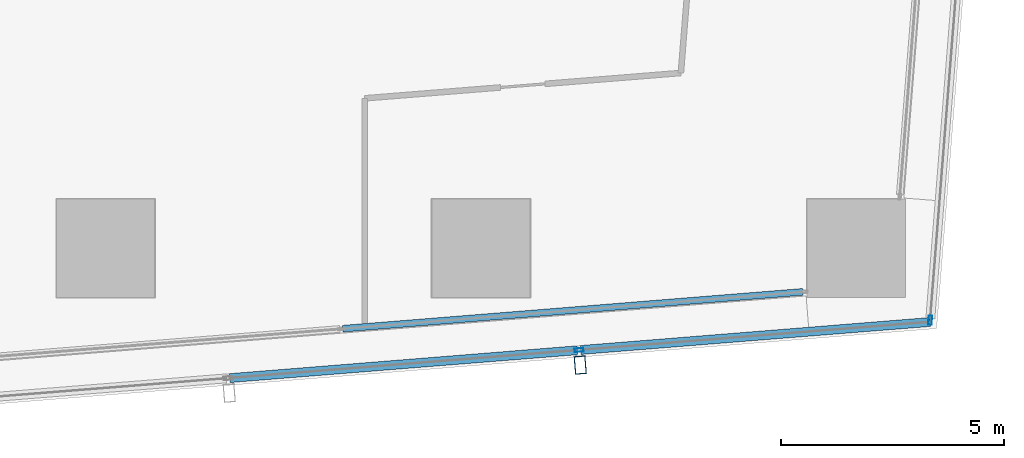
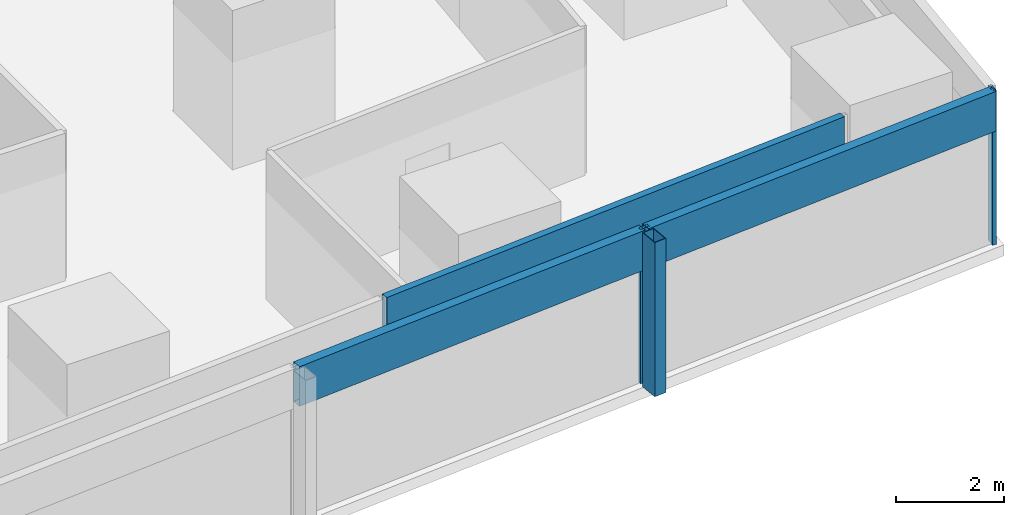
# One storey, part 11 of 44: 6 members, 3 elements without a shape of their own.
"""IFC4 building model written with IfcOpenShell, lengths in metres."""

from ifc_helpers import new_model, si_unit, direction, frame, origin, origin_2d, place, context, subcontext, project, spatial, hollow_rectangle, extrude, material, material_profile, profile_set, type_object, element, aggregate, save


model = new_model("IFC4")

# Units and contexts
model_context = context("Model", 3, precision=1e-05, world=origin(), true_north=direction((0.0, 1.0)))
body_context = subcontext(model_context, "Body", "Model", "MODEL_VIEW")
ifc_project = project(units=[si_unit("LENGTHUNIT", "METRE"), si_unit("AREAUNIT", "SQUARE_METRE"), si_unit("VOLUMEUNIT", "CUBIC_METRE"), si_unit("PLANEANGLEUNIT", "RADIAN"), si_unit("MASSUNIT", "GRAM", prefix="KILO")], contexts=[model_context])

# Site, building, storey
site_placement = place(None, origin())
site = spatial("IfcSite", under=ifc_project, at=site_placement, CompositionType="ELEMENT")
building_placement = place(site_placement, origin())
building = spatial("IfcBuilding", under=site, at=building_placement, Name="Rekha Terrace Tower", CompositionType="ELEMENT")
storey_placement = place(building_placement, frame((0.0, 0.0, 62.89990234375)))
storey = spatial("IfcBuildingStorey", under=building, at=storey_placement, Name="L15", CompositionType="ELEMENT", Elevation=62.89990234375)

# Curtain wall, member
ifc_material_1 = material(Name="Aluminium framing", Category="aluminium")
curtain_wall_type_1 = type_object("IfcCurtainWallType", Name="CW2 double skin outer glazing", PredefinedType="USERDEFINED", material=ifc_material_1)
curtain_wall_1_placement = place(storey_placement, origin())
curtain_wall_1 = element("IfcCurtainWall", 1, at=curtain_wall_1_placement, inside=storey, type_object=curtain_wall_type_1, Name="CW2 double skin outer glazing", ObjectType="DOUBLE SKIN OUTER GLAZING", PredefinedType="USERDEFINED")
ifc_material_2 = material(Name="Steel S355 with fluorocarbon finish", Category="steel")
ifc_material_profile_1 = material_profile(ifc_material_2, hollow_rectangle(XDim=0.25, YDim=0.39990234375, WallThickness=0.012451171875, at=origin_2d()), Name="RHS400x250x12.5")
ifc_profile_set_1 = profile_set([ifc_material_profile_1], Name="Steel S355 with fluorocarbon finish")
member_type_1 = type_object("IfcMemberType", Name="BL1 facade blade RHS 400 x 250", PredefinedType="USERDEFINED", material=ifc_profile_set_1)
member_1_placement = place(storey_placement, frame((61.022705078125, 5.78515625, 0.0), z_axis=(0.0, 0.0, 1.0), x_axis=(0.996805139821, 0.079871855039, 0.0)))
member_1 = element("IfcMember", 2, at=member_1_placement, type_object=member_type_1, Name="Facade blade", ObjectType="FACADE BLADE", PredefinedType="USERDEFINED", context=body_context, shape_type="SweptSolid", body=[
    extrude(hollow_rectangle(XDim=0.25, YDim=0.39990234375, WallThickness=0.012451171875, at=origin_2d()), origin(), (0.0, 0.0, 1.0), 3.5),
])

curtain_wall_type_2 = type_object("IfcCurtainWallType", Name="CW1 double skin inner glazing", PredefinedType="USERDEFINED", material=ifc_material_1)
curtain_wall_2_placement = place(storey_placement, origin())
curtain_wall_2 = element("IfcCurtainWall", 3, at=curtain_wall_2_placement, inside=storey, type_object=curtain_wall_type_2, Name="CW1 double skin inner glazing", ObjectType="DOUBLE SKIN INNER GLAZING", PredefinedType="USERDEFINED")
ifc_material_3 = material(Name="Insulated aluminium spandrel box", Category="aluminium")
ifc_material_profile_2 = material_profile(ifc_material_3, hollow_rectangle(XDim=0.14990234375, YDim=0.89990234375, WallThickness=0.0029296875, at=origin_2d()), Name="AL SPANDREL BOX 150x900")
ifc_profile_set_2 = profile_set([ifc_material_profile_2], Name="Insulated aluminium spandrel box")
member_type_2 = type_object("IfcMemberType", Name="CW1 spandrel transom 150 x 900", PredefinedType="USERDEFINED", material=ifc_profile_set_2)
member_2_placement = place(storey_placement, frame((55.704345703125, 6.59814453125, 3.050048828125), z_axis=(0.996806184606, 0.079858814989, 0.0), x_axis=(-0.079858814989, 0.996806184606, 0.0)))
member_2 = element("IfcMember", 4, at=member_2_placement, type_object=member_type_2, Name="CW1 spandrel transom 2", ObjectType="TRANSOM", PredefinedType="USERDEFINED", context=body_context, shape_type="SweptSolid", body=[
    extrude(hollow_rectangle(XDim=0.14990234375, YDim=0.89990234375, WallThickness=0.0029296875, at=origin_2d()), origin(), (0.0, 0.0, 1.0), 10.336181640625),
])
aggregate(curtain_wall_2, [member_2])

# Member
ifc_material_4 = material(Name="Aluminium mullion section", Category="aluminium")
ifc_material_profile_3 = material_profile(ifc_material_4, hollow_rectangle(XDim=0.080078125, YDim=0.199951171875, WallThickness=0.00390625, at=origin_2d()), Name="AL RHS 80x200")
ifc_profile_set_3 = profile_set([ifc_material_profile_3], Name="Aluminium mullion section")
member_type_3 = type_object("IfcMemberType", Name="CW2 mullion RHS 80 x 200", PredefinedType="MULLION", material=ifc_profile_set_3)
member_3_placement = place(storey_placement, frame((60.99609375, 6.119140625, 0.0), z_axis=(0.0, 0.0, 1.0), x_axis=(-0.079872204468, 0.996805111821, 0.0)))
member_3 = element("IfcMember", 5, at=member_3_placement, type_object=member_type_3, Name="CW2 mullion 3", PredefinedType="MULLION", context=body_context, shape_type="SweptSolid", body=[
    extrude(hollow_rectangle(XDim=0.080078125, YDim=0.199951171875, WallThickness=0.00390625, at=origin_2d()), origin(), (0.0, 0.0, 1.0), 3.5),
])

# Curtain wall, member
curtain_wall_3_placement = place(storey_placement, origin())
curtain_wall_3 = element("IfcCurtainWall", 6, at=curtain_wall_3_placement, inside=storey, type_object=curtain_wall_type_1, Name="CW2 double skin outer glazing", ObjectType="DOUBLE SKIN OUTER GLAZING", PredefinedType="USERDEFINED")
member_4_placement = place(storey_placement, frame((68.8544921875, 6.78857421875, 0.0), z_axis=(0.0, 0.0, 1.0), x_axis=(-0.996865392575, 0.079116301017, 0.0)))
member_4 = element("IfcMember", 7, at=member_4_placement, type_object=member_type_3, Name="CW2 mullion 1", PredefinedType="MULLION", context=body_context, shape_type="SweptSolid", body=[
    extrude(hollow_rectangle(XDim=0.080078125, YDim=0.199951171875, WallThickness=0.00390625, at=origin_2d()), origin(), (0.0, 0.0, 1.0), 3.5),
])
aggregate(curtain_wall_3, [member_4])

# Member
ifc_material_profile_4 = material_profile(ifc_material_3, hollow_rectangle(XDim=0.199951171875, YDim=0.89990234375, WallThickness=0.0029296875, at=origin_2d()), Name="AL SPANDREL BOX 200x900")
ifc_profile_set_4 = profile_set([ifc_material_profile_4], Name="Insulated aluminium spandrel box")
member_type_4 = type_object("IfcMemberType", Name="CW2 spandrel transom 200 x 900", PredefinedType="USERDEFINED", material=ifc_profile_set_4)
member_5_placement = place(storey_placement, frame((53.1806640625, 5.492919921875, 3.050048828125), z_axis=(0.996804920132, 0.079874596715, 0.0), x_axis=(-0.079874596715, 0.996804920132, 0.0)))
member_5 = element("IfcMember", 8, at=member_5_placement, type_object=member_type_4, Name="CW2 spandrel transom 2", ObjectType="TRANSOM", PredefinedType="USERDEFINED", context=body_context, shape_type="SweptSolid", body=[
    extrude(hollow_rectangle(XDim=0.199951171875, YDim=0.89990234375, WallThickness=0.0029296875, at=origin_2d()), origin(), (0.0, 0.0, 1.0), 7.80029296875),
])

member_6_placement = place(storey_placement, frame((61.035888671875, 6.122314453125, 3.050048828125), z_axis=(0.996805270739, 0.07987022115, 0.0), x_axis=(-0.07987022115, 0.996805270739, 0.0)))
member_6 = element("IfcMember", 9, at=member_6_placement, type_object=member_type_4, Name="CW2 spandrel transom 3", ObjectType="TRANSOM", PredefinedType="USERDEFINED", context=body_context, shape_type="SweptSolid", body=[
    extrude(hollow_rectangle(XDim=0.199951171875, YDim=0.89990234375, WallThickness=0.0029296875, at=origin_2d()), origin(), (0.0, 0.0, 1.0), 7.840576171875),
])

aggregate(curtain_wall_1, [member_3, member_5, member_6, member_1])

save(model, "model.ifc")
